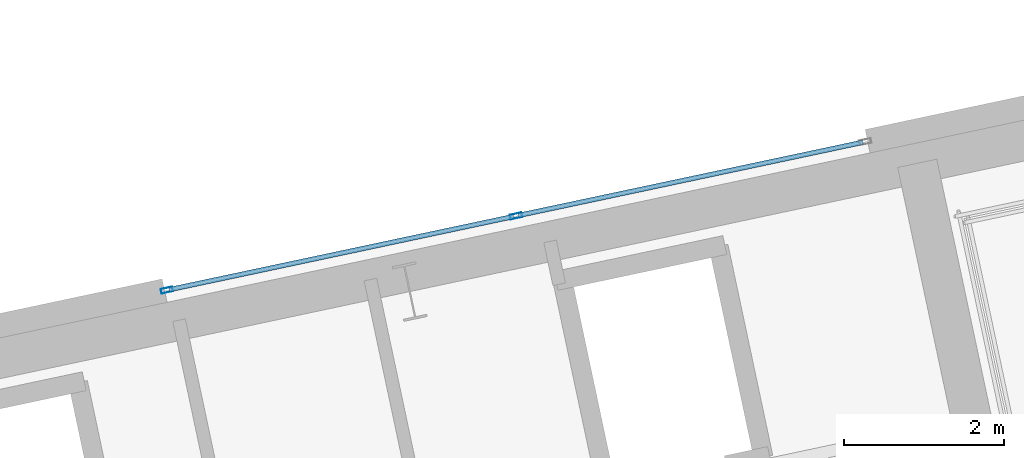
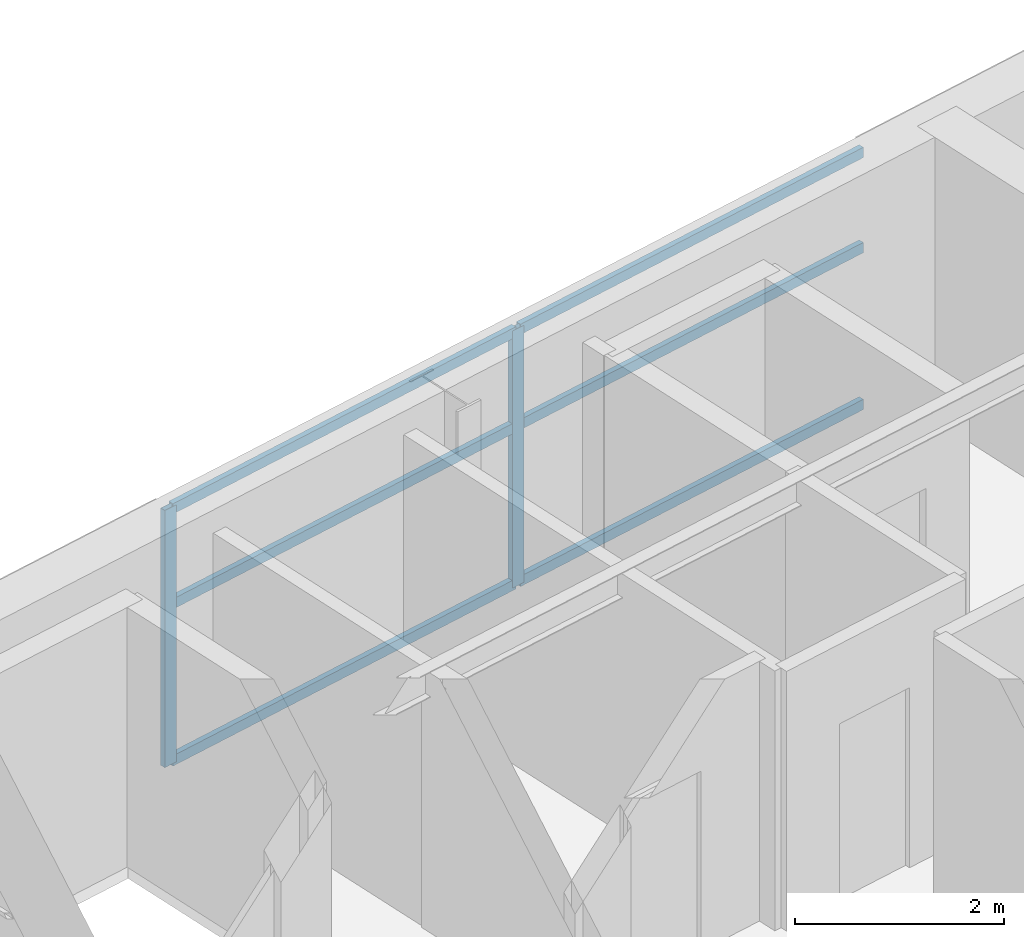
# One storey, part 5 of 20: 8 members, 1 element without a shape of its own.
"""IFC4 building model written with IfcOpenShell, lengths in metres."""

from ifc_helpers import new_model, si_unit, direction, frame, origin, origin_2d, place, context, subcontext, project, spatial, hollow_rectangle, extrude, material, layer, layer_set, material_profile, profile_set, type_object, element, aggregate, save


model = new_model("IFC4")

# Units and contexts
model_context = context("Model", 3, precision=1e-05, world=origin(), true_north=direction((0.0, 1.0)))
body_context = subcontext(model_context, "Body", "Model", "MODEL_VIEW")
ifc_project = project(units=[si_unit("LENGTHUNIT", "METRE"), si_unit("AREAUNIT", "SQUARE_METRE"), si_unit("VOLUMEUNIT", "CUBIC_METRE"), si_unit("PLANEANGLEUNIT", "RADIAN"), si_unit("MASSUNIT", "GRAM", prefix="KILO")], contexts=[model_context])

# Site, building, storey
site_placement = place(None, origin())
site = spatial("IfcSite", under=ifc_project, at=site_placement, CompositionType="ELEMENT")
building_placement = place(site_placement, origin())
building = spatial("IfcBuilding", under=site, at=building_placement, Name="Haevon Station Towers", CompositionType="ELEMENT")
storey_placement = place(building_placement, frame((0.0, 0.0, 175.800048828125)))
storey = spatial("IfcBuildingStorey", under=building, at=storey_placement, Name="L48", CompositionType="ELEMENT", Elevation=175.800048828125)

# Curtain wall, members
ifc_material_1 = material(Name="Anodised aluminium and Low-E double glazing", Category="aluminium")
ifc_layer = layer(ifc_material_1, 0.179931640625)
ifc_layer_set = layer_set([ifc_layer], Name="Anodised aluminium and Low-E double glazing")
curtain_wall_type = type_object("IfcCurtainWallType", Name="CW-SYS5", PredefinedType="NOTDEFINED", material=ifc_layer_set)
curtain_wall_placement = place(storey_placement, origin())
curtain_wall = element("IfcCurtainWall", 1, at=curtain_wall_placement, inside=storey, type_object=curtain_wall_type, Name="L48 Curtain Wall CW-T2-L48-N", PredefinedType="NOTDEFINED")
ifc_material_2 = material(Name="Anodised aluminium 6063-T6", Category="aluminium")
ifc_material_profile_1 = material_profile(ifc_material_2, hollow_rectangle(XDim=0.06005859375, YDim=0.14990234375, WallThickness=0.00341796875, at=origin_2d()), Name="CWM-150x60x3.5")
ifc_profile_set_1 = profile_set([ifc_material_profile_1], Name="Anodised aluminium 6063-T6")
member_type_1 = type_object("IfcMemberType", Name="CWM-150", PredefinedType="MULLION", material=ifc_profile_set_1)
member_1_placement = place(storey_placement, frame((104.03857421875, 48.78955078125, 0.0), z_axis=(0.0, 0.0, 1.0), x_axis=(-0.207911783211, 0.978147581095, 0.0)))
member_1 = element("IfcMember", 2, at=member_1_placement, type_object=member_type_1, Name="CW-SYS5 mullion 1", PredefinedType="MULLION", context=body_context, shape_type="SweptSolid", body=[
    extrude(hollow_rectangle(XDim=0.06005859375, YDim=0.14990234375, WallThickness=0.00341796875, at=origin_2d()), origin(), (0.0, 0.0, 1.0), 3.0),
])
member_2_placement = place(storey_placement, frame((108.410888671875, 49.71875, 0.0), z_axis=(0.0, 0.0, 1.0), x_axis=(-0.207911783211, 0.978147581095, 0.0)))
member_2 = element("IfcMember", 3, at=member_2_placement, type_object=member_type_1, Name="CW-SYS5 mullion 2", PredefinedType="MULLION", context=body_context, shape_type="SweptSolid", body=[
    extrude(hollow_rectangle(XDim=0.06005859375, YDim=0.14990234375, WallThickness=0.00341796875, at=origin_2d()), origin(), (0.0, 0.0, 1.0), 3.0),
])
ifc_material_profile_2 = material_profile(ifc_material_2, hollow_rectangle(XDim=0.06005859375, YDim=0.1201171875, WallThickness=0.0029296875, at=origin_2d()), Name="CWT-120x60x3")
ifc_profile_set_2 = profile_set([ifc_material_profile_2], Name="Anodised aluminium 6063-T6")
member_type_2 = type_object("IfcMemberType", Name="CWT-120", PredefinedType="USERDEFINED", material=ifc_profile_set_2)
member_3_placement = place(storey_placement, frame((104.068115234375, 48.795654296875, 0.030029296875), z_axis=(0.978141400356, 0.207940859165, 0.0), x_axis=(-0.207940859165, 0.978141400356, 0.0)))
member_3 = element("IfcMember", 4, at=member_3_placement, type_object=member_type_2, Name="CW-SYS5 transom 1.1", ObjectType="TRANSOM", PredefinedType="USERDEFINED", context=body_context, shape_type="SweptSolid", body=[
    extrude(hollow_rectangle(XDim=0.06005859375, YDim=0.1201171875, WallThickness=0.0029296875, at=origin_2d()), origin(), (0.0, 0.0, 1.0), 4.409912109375),
])
member_4_placement = place(storey_placement, frame((104.068115234375, 48.795654296875, 1.85986328125), z_axis=(0.978141400356, 0.207940859165, 0.0), x_axis=(-0.207940859165, 0.978141400356, 0.0)))
member_4 = element("IfcMember", 5, at=member_4_placement, type_object=member_type_2, Name="CW-SYS5 transom 1.2", ObjectType="TRANSOM", PredefinedType="USERDEFINED", context=body_context, shape_type="SweptSolid", body=[
    extrude(hollow_rectangle(XDim=0.06005859375, YDim=0.1201171875, WallThickness=0.0029296875, at=origin_2d()), origin(), (0.0, 0.0, 1.0), 4.409912109375),
])
member_5_placement = place(storey_placement, frame((104.068115234375, 48.795654296875, 2.969970703125), z_axis=(0.978141400356, 0.207940859165, 0.0), x_axis=(-0.207940859165, 0.978141400356, 0.0)))
member_5 = element("IfcMember", 6, at=member_5_placement, type_object=member_type_2, Name="CW-SYS5 transom 1.3", ObjectType="TRANSOM", PredefinedType="USERDEFINED", context=body_context, shape_type="SweptSolid", body=[
    extrude(hollow_rectangle(XDim=0.06005859375, YDim=0.1201171875, WallThickness=0.0029296875, at=origin_2d()), origin(), (0.0, 0.0, 1.0), 4.409912109375),
])
member_6_placement = place(storey_placement, frame((108.4404296875, 49.72509765625, 0.030029296875), z_axis=(0.9781526595, 0.207887889768, 0.0), x_axis=(-0.207887889768, 0.9781526595, 0.0)))
member_6 = element("IfcMember", 7, at=member_6_placement, type_object=member_type_2, Name="CW-SYS5 transom 2.1", ObjectType="TRANSOM", PredefinedType="USERDEFINED", context=body_context, shape_type="SweptSolid", body=[
    extrude(hollow_rectangle(XDim=0.06005859375, YDim=0.1201171875, WallThickness=0.0029296875, at=origin_2d()), origin(), (0.0, 0.0, 1.0), 4.409912109375),
])
member_7_placement = place(storey_placement, frame((108.4404296875, 49.72509765625, 1.85986328125), z_axis=(0.9781526595, 0.207887889768, 0.0), x_axis=(-0.207887889768, 0.9781526595, 0.0)))
member_7 = element("IfcMember", 8, at=member_7_placement, type_object=member_type_2, Name="CW-SYS5 transom 2.2", ObjectType="TRANSOM", PredefinedType="USERDEFINED", context=body_context, shape_type="SweptSolid", body=[
    extrude(hollow_rectangle(XDim=0.06005859375, YDim=0.1201171875, WallThickness=0.0029296875, at=origin_2d()), origin(), (0.0, 0.0, 1.0), 4.409912109375),
])
member_8_placement = place(storey_placement, frame((108.4404296875, 49.72509765625, 2.969970703125), z_axis=(0.9781526595, 0.207887889768, 0.0), x_axis=(-0.207887889768, 0.9781526595, 0.0)))
member_8 = element("IfcMember", 9, at=member_8_placement, type_object=member_type_2, Name="CW-SYS5 transom 2.3", ObjectType="TRANSOM", PredefinedType="USERDEFINED", context=body_context, shape_type="SweptSolid", body=[
    extrude(hollow_rectangle(XDim=0.06005859375, YDim=0.1201171875, WallThickness=0.0029296875, at=origin_2d()), origin(), (0.0, 0.0, 1.0), 4.409912109375),
])
aggregate(curtain_wall, [member_1, member_2, member_3, member_4, member_5, member_6, member_7, member_8])

save(model, "model.ifc")
